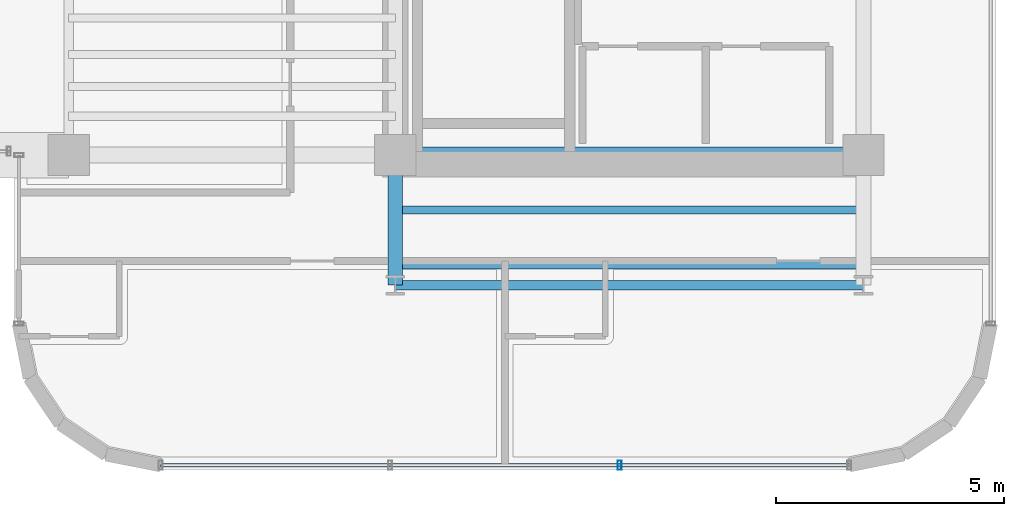
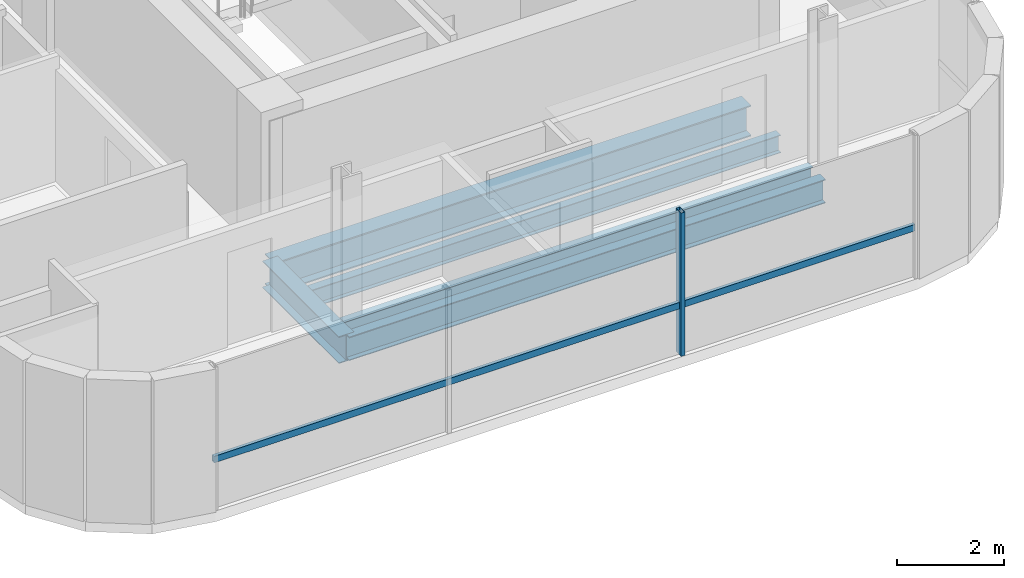
# One storey, part 3 of 24: 5 beams, 2 members, 1 element without a shape of its own.
"""IFC4 building model written with IfcOpenShell, lengths in metres."""

from ifc_helpers import new_model, si_unit, direction, frame, origin, origin_2d, place, context, subcontext, project, spatial, hollow_rectangle, i_section, extrude, source, transform, mapped, material, material_profile, profile_set, type_object, element, aggregate, save


model = new_model("IFC4")

# Units and contexts
model_context = context("Model", 3, precision=1e-05, world=origin(), true_north=direction((0.0, 1.0)))
body_context = subcontext(model_context, "Body", "Model", "MODEL_VIEW")
ifc_project = project(units=[si_unit("LENGTHUNIT", "METRE"), si_unit("AREAUNIT", "SQUARE_METRE"), si_unit("VOLUMEUNIT", "CUBIC_METRE"), si_unit("PLANEANGLEUNIT", "RADIAN"), si_unit("MASSUNIT", "GRAM", prefix="KILO")], contexts=[model_context])

# Site, building, storey
site_placement = place(None, origin())
site = spatial("IfcSite", under=ifc_project, at=site_placement, CompositionType="ELEMENT")
building_placement = place(site_placement, origin())
building = spatial("IfcBuilding", under=site, at=building_placement, Name="Valdorenza Pilgrim Sanctuary Tower", CompositionType="ELEMENT")
storey_placement = place(building_placement, frame((0.0, 0.0, 230.0)))
storey = spatial("IfcBuildingStorey", under=building, at=storey_placement, Name="L59", CompositionType="ELEMENT", Elevation=230.0)

# Beams
ifc_material_1 = material(Name="Steel ASTM A992 Grade 50", Category="steel")
ifc_material_profile_1 = material_profile(ifc_material_1, i_section(OverallWidth=0.323974609375, OverallDepth=0.611083984375, WebThickness=0.0126953125, FlangeThickness=0.01904296875, at=origin_2d()), Name="W24X104")
ifc_profile_set_1 = profile_set([ifc_material_profile_1], Name="Steel ASTM A992 Grade 50")
beam_type_1 = type_object("IfcBeamType", Name="STR-BM-GRD-W24B", PredefinedType="BEAM", material=ifc_profile_set_1)
shared_shape_1 = source(origin(), body_context, "Body", "SweptSolid", [
    extrude(i_section(OverallWidth=0.323974609375, OverallDepth=0.611083984375, WebThickness=0.0126953125, FlangeThickness=0.01904296875, at=origin_2d()), origin(), (0.0, 0.0, 1.0), 2.849853515625),
])
beam_1_placement = place(storey_placement, frame((-22.64990234375, -13.449951171875, -0.54541015625), z_axis=(0.0, 1.0, 0.0), x_axis=(-1.0, 0.0, 0.0)))
element("IfcBeam", 1, at=beam_1_placement, inside=storey, type_object=beam_type_1, Name="L59 Floor Girder WA-S-LW", PredefinedType="BEAM", context=body_context, shape_type="MappedRepresentation", body=[
    mapped(shared_shape_1, transform((0.0, 0.0, 0.0), x_axis=(1.0, 0.0, 0.0), y_axis=(0.0, 1.0, 0.0), z_axis=(0.0, 0.0, 1.0), scale=1.0)),
])
ifc_material_profile_2 = material_profile(ifc_material_1, i_section(OverallWidth=0.2109375, OverallDepth=0.5390625, WebThickness=0.01171875, FlangeThickness=0.018798828125, at=origin_2d()), Name="W21X73")
ifc_profile_set_2 = profile_set([ifc_material_profile_2], Name="Steel ASTM A992 Grade 50")
beam_type_2 = type_object("IfcBeamType", Name="STR-BM-SPN-W21B", PredefinedType="SPANDREL", material=ifc_profile_set_2)
shared_shape_2 = source(origin(), body_context, "Body", "SweptSolid", [
    extrude(i_section(OverallWidth=0.2109375, OverallDepth=0.5390625, WebThickness=0.01171875, FlangeThickness=0.018798828125, at=origin_2d()), origin(), (0.0, 0.0, 1.0), 10.25),
])
beam_2_placement = place(storey_placement, frame((-22.64990234375, -13.449951171875, -0.509521484375), z_axis=(1.0, 0.0, 0.0), x_axis=(0.0, 1.0, 0.0)))
element("IfcBeam", 2, at=beam_2_placement, inside=storey, type_object=beam_type_2, Name="L59 South Spandrel WA-S-TIE", PredefinedType="SPANDREL", context=body_context, shape_type="MappedRepresentation", body=[
    mapped(shared_shape_2, transform((0.0, 0.0, 0.0), x_axis=(1.0, 0.0, 0.0), y_axis=(0.0, 1.0, 0.0), z_axis=(0.0, 0.0, 1.0), scale=1.0)),
])
ifc_material_profile_3 = material_profile(ifc_material_1, i_section(OverallWidth=0.35595703125, OverallDepth=0.700927734375, WebThickness=0.016845703125, FlangeThickness=0.02734375, at=origin_2d()), Name="W27X161")
ifc_profile_set_3 = profile_set([ifc_material_profile_3], Name="Steel ASTM A992 Grade 50")
beam_type_3 = type_object("IfcBeamType", Name="STR-BM-GRD-W27", PredefinedType="BEAM", material=ifc_profile_set_3)
shared_shape_3 = source(origin(), body_context, "Body", "SweptSolid", [
    extrude(i_section(OverallWidth=0.35595703125, OverallDepth=0.700927734375, WebThickness=0.016845703125, FlangeThickness=0.02734375, at=origin_2d()), origin(), (0.0, 0.0, 1.0), 10.25),
])
beam_3_placement = place(storey_placement, frame((-22.64990234375, -10.60009765625, -0.590576171875), z_axis=(1.0, 0.0, 0.0), x_axis=(0.0, 1.0, 0.0)))
element("IfcBeam", 3, at=beam_3_placement, inside=storey, type_object=beam_type_3, Name="L59 Floor Girder CA-XC-S1", PredefinedType="BEAM", context=body_context, shape_type="MappedRepresentation", body=[
    mapped(shared_shape_3, transform((0.0, 0.0, 0.0), x_axis=(1.0, 0.0, 0.0), y_axis=(0.0, 1.0, 0.0), z_axis=(0.0, 0.0, 1.0), scale=1.0)),
])
ifc_material_profile_4 = material_profile(ifc_material_1, i_section(OverallWidth=0.177978515625, OverallDepth=0.406005859375, WebThickness=0.0078125, FlangeThickness=0.0126953125, at=origin_2d()), Name="W16X40")
ifc_profile_set_4 = profile_set([ifc_material_profile_4], Name="Steel ASTM A992 Grade 50")
beam_type_4 = type_object("IfcBeamType", Name="STR-BM-JST-W16", PredefinedType="JOIST", material=ifc_profile_set_4)
shared_shape_4 = source(origin(), body_context, "Body", "SweptSolid", [
    extrude(i_section(OverallWidth=0.177978515625, OverallDepth=0.406005859375, WebThickness=0.0078125, FlangeThickness=0.0126953125, at=origin_2d()), origin(), (0.0, 0.0, 1.0), 10.25),
])
for number, where, z_axis, x_axis, name in (
    (4, (-22.64990234375, -13.0, -0.443115234375), (1.0, 0.0, 0.0), (0.0, 1.0, 0.0), "L59 Composite Floor Joist JST-WAS-1"),
    (5, (-22.64990234375, -11.800048828125, -0.443115234375), (1.0, 0.0, 0.0), (0.0, 1.0, 0.0), "L59 Composite Floor Joist JST-WAS-2"),
):
    element("IfcBeam", number, at=place(storey_placement, frame(where, z_axis=z_axis, x_axis=x_axis)), inside=storey, type_object=beam_type_4, Name=name, PredefinedType="JOIST", context=body_context, shape_type="MappedRepresentation", body=[
        mapped(shared_shape_4, transform((0.0, 0.0, 0.0), x_axis=(1.0, 0.0, 0.0), y_axis=(0.0, 1.0, 0.0), z_axis=(0.0, 0.0, 1.0), scale=1.0)),
    ])

# Curtain wall, members
ifc_material_2 = material(Name="Curtain-wall IGU glazing", Category="glass")
curtain_wall_type = type_object("IfcCurtainWallType", Name="CW-SYS-02", PredefinedType="NOTDEFINED", material=ifc_material_2)
curtain_wall_placement = place(storey_placement, origin())
curtain_wall = element("IfcCurtainWall", 6, at=curtain_wall_placement, inside=storey, type_object=curtain_wall_type, Name="L59 Curtain Wall CW-L59-1-26", PredefinedType="NOTDEFINED")
ifc_material_3 = material(Name="Anodised aluminium AW-6060", Category="aluminium")
ifc_material_profile_5 = material_profile(ifc_material_3, hollow_rectangle(XDim=0.074951171875, YDim=0.14990234375, WallThickness=0.00390625, at=origin_2d()), Name="ALU-T 150x75x4")
ifc_profile_set_5 = profile_set([ifc_material_profile_5], Name="Anodised aluminium AW-6060")
member_type_1 = type_object("IfcMemberType", Name="CW-TRN-02", PredefinedType="USERDEFINED", material=ifc_profile_set_5)
shared_shape_5 = source(origin(), body_context, "Body", "SweptSolid", [
    extrude(hollow_rectangle(XDim=0.074951171875, YDim=0.14990234375, WallThickness=0.00390625, at=origin_2d()), origin(), (0.0, 0.0, 1.0), 15.07861328125),
])
member_1_placement = place(storey_placement, frame((-12.710693359375, -17.389892578125, 1.1201171875), z_axis=(-1.0, 0.0, 0.0), x_axis=(0.0, -1.0, 0.0)))
member_1 = element("IfcMember", 7, at=member_1_placement, type_object=member_type_1, Name="CW-L59-1-26 Transom 1", ObjectType="TRANSOM", PredefinedType="USERDEFINED", context=body_context, shape_type="MappedRepresentation", body=[
    mapped(shared_shape_5, transform((0.0, 0.0, 0.0), x_axis=(1.0, 0.0, 0.0), y_axis=(0.0, 1.0, 0.0), z_axis=(0.0, 0.0, 1.0), scale=1.0)),
])
ifc_material_profile_6 = material_profile(ifc_material_3, hollow_rectangle(XDim=0.0849609375, YDim=0.199951171875, WallThickness=0.0048828125, at=origin_2d()), Name="ALU-M 200x85x5")
ifc_profile_set_6 = profile_set([ifc_material_profile_6], Name="Anodised aluminium AW-6060")
member_type_2 = type_object("IfcMemberType", Name="CW-MUL-02", PredefinedType="MULLION", material=ifc_profile_set_6)
shared_shape_6 = source(origin(), body_context, "Body", "SweptSolid", [
    extrude(hollow_rectangle(XDim=0.0849609375, YDim=0.199951171875, WallThickness=0.0048828125, at=origin_2d()), origin(), (0.0, 0.0, 1.0), 3.260009765625),
])
member_2_placement = place(storey_placement, frame((-17.73681640625, -17.389892578125, 0.0), z_axis=(0.0, 0.0, 1.0), x_axis=(-1.0, 0.0, 0.0)))
member_2 = element("IfcMember", 8, at=member_2_placement, type_object=member_type_2, Name="CW-L59-1-26 Mullion 2", PredefinedType="MULLION", context=body_context, shape_type="MappedRepresentation", body=[
    mapped(shared_shape_6, transform((0.0, 0.0, 0.0), x_axis=(1.0, 0.0, 0.0), y_axis=(0.0, 1.0, 0.0), z_axis=(0.0, 0.0, 1.0), scale=1.0)),
])
aggregate(curtain_wall, [member_2, member_1])

save(model, "model.ifc")
